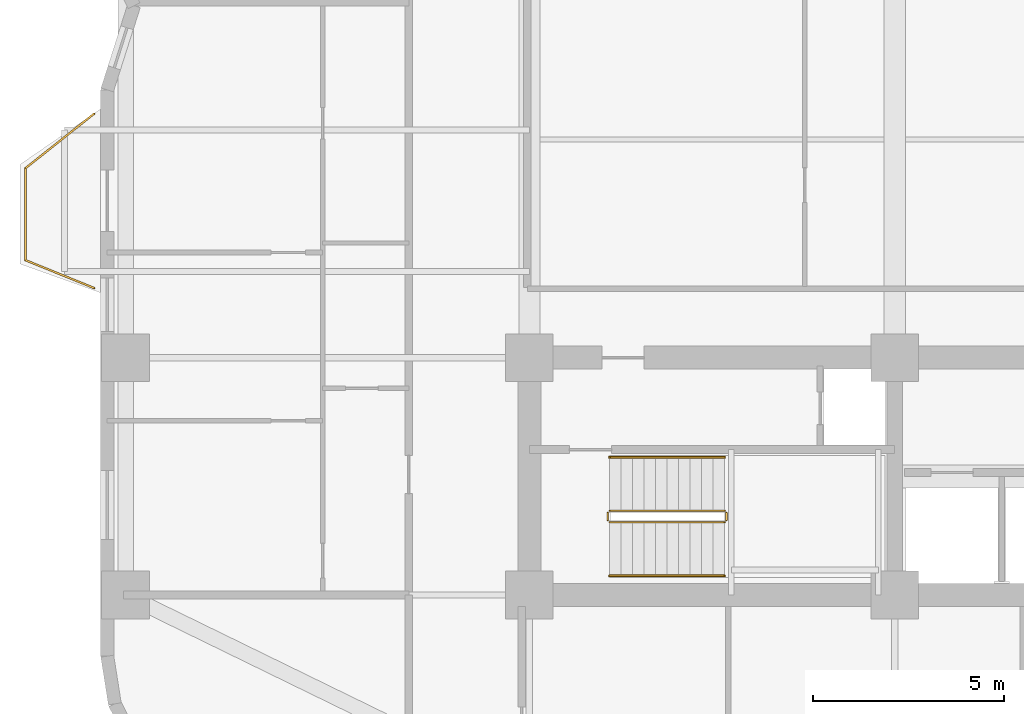
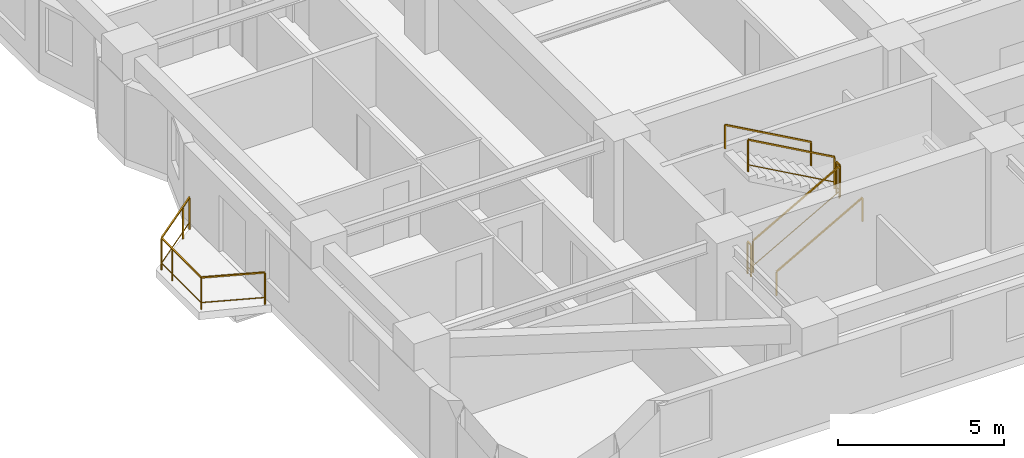
# One storey, part 8 of 9: 7 railings.
"""IFC4 building model written with IfcOpenShell, lengths in metres."""

import ifcopenshell
import ifcopenshell.guid

model = None  # the IFC model being written
_history = None  # IfcOwnerHistory: only IFC2X3 demands one
_inside = {}  # id of a spatial element -> (the spatial element, [elements in it])
_under = {}  # id of a project, library or spatial element -> (it, [spatial elements below it])
_declared = {}  # id of a project -> (the project, [libraries it declares])
_typed = {}  # id of a type object -> (the type object, [elements of that type])
_made_of = {}  # id of a material, layer set ... -> (it, [elements and type objects made of it])


def new_model(schema):
    """Start an empty IFC model of exactly this schema.

    Asked for "IFC4X3", IfcOpenShell would pick the latest addendum, in which some entities
    have other attributes; the version numbers below select the first issue.
    IFC2X3 requires an IfcOwnerHistory on every rooted entity: one is made here for all.
    """
    global model, _history
    if schema == "IFC4X3":
        model = ifcopenshell.file(schema_version=(4, 3, 0, 0))
    else:
        model = ifcopenshell.file(schema=schema)
    _inside.clear()
    _under.clear()
    _declared.clear()
    _typed.clear()
    _made_of.clear()
    _history = None
    if model.schema == "IFC2X3":
        org = make("IfcOrganization", Name="unknown")
        user = make(
            "IfcPersonAndOrganization",
            ThePerson=make("IfcPerson", FamilyName="unknown"),
            TheOrganization=org,
        )
        app = make(
            "IfcApplication",
            ApplicationDeveloper=org,
            Version="unknown",
            ApplicationFullName="unknown",
            ApplicationIdentifier="unknown",
        )
        _history = make(
            "IfcOwnerHistory",
            OwningUser=user,
            OwningApplication=app,
            ChangeAction="ADDED",
            CreationDate=0,
        )
    return model


def make(cls, **values):
    """One entity of the class cls with the attributes given. An attribute that is None is left unset."""
    return model.create_entity(
        cls, **{name: value for name, value in values.items() if value is not None}
    )


def rooted(cls, **values):
    """An entity with a GlobalId (a new one), such as an element, a storey or a relation."""
    return make(cls, GlobalId=ifcopenshell.guid.new(), OwnerHistory=_history, **values)


def si_unit(unit_type, name, prefix=None):
    """IfcSIUnit, for example si_unit("LENGTHUNIT", "METRE", prefix="MILLI")."""
    return make("IfcSIUnit", UnitType=unit_type, Prefix=prefix, Name=name)


def assignment(units):
    """IfcUnitAssignment: the units of a project."""
    return None if units is None else make("IfcUnitAssignment", Units=units)


def point(xyz):
    """IfcCartesianPoint."""
    return None if xyz is None else make("IfcCartesianPoint", Coordinates=xyz)


def direction(xyz):
    """IfcDirection."""
    return None if xyz is None else make("IfcDirection", DirectionRatios=xyz)


def frame(location, z_axis=None, x_axis=None):
    """IfcAxis2Placement3D, a coordinate frame: its origin and axes. An axis left out is left unset."""
    return make(
        "IfcAxis2Placement3D",
        Location=point(location),
        Axis=direction(z_axis),
        RefDirection=direction(x_axis),
    )


def frame_2d(location, x_axis=None):
    """IfcAxis2Placement2D, a coordinate frame in the plane: its origin and x axis."""
    return make(
        "IfcAxis2Placement2D", Location=point(location), RefDirection=direction(x_axis)
    )


def origin():
    """The frame at (0, 0, 0) with its axes left unset."""
    return frame((0.0, 0.0, 0.0))


def origin_2d():
    """The frame at (0, 0) in the plane with its x axis left unset."""
    return frame_2d((0.0, 0.0))


def place(relative_to, where):
    """IfcLocalPlacement: puts the frame where relative to a parent placement (None: the world)."""
    return make(
        "IfcLocalPlacement", PlacementRelTo=relative_to, RelativePlacement=where
    )


def context(
    kind, dimensions, precision=None, world=None, true_north=None, identifier=None
):
    """IfcGeometricRepresentationContext, for example the 3D "Model" context."""
    return make(
        "IfcGeometricRepresentationContext",
        ContextIdentifier=identifier,
        ContextType=kind,
        CoordinateSpaceDimension=dimensions,
        Precision=precision,
        WorldCoordinateSystem=world,
        TrueNorth=true_north,
    )


def subcontext(parent, identifier, kind, view, scale=None):
    """IfcGeometricRepresentationSubContext, for example "Body" below "Model"."""
    return make(
        "IfcGeometricRepresentationSubContext",
        ContextIdentifier=identifier,
        ContextType=kind,
        ParentContext=parent,
        TargetScale=scale,
        TargetView=view,
    )


def project(units=None, contexts=None):
    """IfcProject with its units and contexts."""
    return rooted(
        "IfcProject",
        Name="project",
        RepresentationContexts=contexts,
        UnitsInContext=assignment(units),
    )


def spatial(cls, under=None, at=None, **own):
    """A site, building, storey or space (cls), placed at a placement, below another one or the project."""
    s = rooted(cls, ObjectPlacement=at, **own)
    if under is not None:
        _under.setdefault(under.id(), (under, []))[1].append(s)
    return s


def profile(cls, at=None, kind="AREA", **sizes):
    """A parametric profile (cls). Its sizes go by their IFC names, for example OverallWidth=200.0."""
    return make(cls, ProfileType=kind, Position=at, **sizes)


def rectangle(**sizes):
    """IfcRectangleProfileDef."""
    return profile("IfcRectangleProfileDef", **sizes)


def extrude(swept, where, along, depth):
    """IfcExtrudedAreaSolid: the profile swept, set in the frame where, extruded along a direction by depth."""
    return make(
        "IfcExtrudedAreaSolid",
        SweptArea=swept,
        Position=where,
        ExtrudedDirection=direction(along),
        Depth=depth,
    )


def shape(context_of_items, identifier, shape_type, items):
    """IfcShapeRepresentation: the items that make up one representation, for example the "Body"."""
    return make(
        "IfcShapeRepresentation",
        ContextOfItems=context_of_items,
        RepresentationIdentifier=identifier,
        RepresentationType=shape_type,
        Items=items,
    )


def material(Name=None, Category=None):
    """IfcMaterial."""
    return make("IfcMaterial", Name=Name, Category=Category)


def made_of(thing, what):
    """Note that an element or type object is made of a material, layer set ...; save() writes the relation."""
    if what is not None:
        _made_of.setdefault(what.id(), (what, []))[1].append(thing)
    return thing


def type_object(cls, material=None, **own):
    """A type object (cls), such as IfcWallType, which elements share."""
    return made_of(rooted(cls, **own), material)


def element(
    cls,
    number,
    at=None,
    inside=None,
    cuts=None,
    type_object=None,
    material=None,
    context=None,
    identifier="Body",
    shape_type=None,
    held_by="IfcProductDefinitionShape",
    body=None,
    shapes=None,
    **own,
):
    """One element of the class cls, such as IfcWall. Its Tag is "e" and its number.

    at: its placement. inside: the storey or other place that contains it. cuts: it is an
    opening in that element (IfcRelVoidsElement). A single representation is given by context,
    identifier, shape_type and body (its items); several are given by shapes. held_by: the class
    of the entity that holds the representations. save() writes the other relations.
    """
    e = rooted(cls, Tag="e%d" % number, ObjectPlacement=at, **own)
    if body is not None:
        shapes = [shape(context, identifier, shape_type, body)]
    if shapes is not None:
        e.Representation = make(held_by, Representations=shapes)
    if inside is not None:
        _inside.setdefault(inside.id(), (inside, []))[1].append(e)
    if cuts is not None:
        rooted(
            "IfcRelVoidsElement", RelatingBuildingElement=cuts, RelatedOpeningElement=e
        )
    if type_object is not None:
        _typed.setdefault(type_object.id(), (type_object, []))[1].append(e)
    return made_of(e, material)


def aggregate(whole, parts):
    """IfcRelAggregates: a whole, such as a stair, and the parts it consists of."""
    return rooted("IfcRelAggregates", RelatingObject=whole, RelatedObjects=parts)


def save(model, path):
    """Write the relations noted so far, then the file.

    IfcRelAggregates (storeys below a building ...), IfcRelContainedInSpatialStructure (elements
    in a storey), IfcRelDefinesByType, IfcRelAssociatesMaterial and IfcRelDeclares: one each for
    every whole, place, type object, material and project.
    """
    for whole, parts in _under.values():
        aggregate(whole, parts)
    for where, things in _inside.values():
        rooted(
            "IfcRelContainedInSpatialStructure",
            RelatedElements=things,
            RelatingStructure=where,
        )
    for kind, things in _typed.values():
        rooted("IfcRelDefinesByType", RelatedObjects=things, RelatingType=kind)
    for what, things in _made_of.values():
        rooted("IfcRelAssociatesMaterial", RelatedObjects=things, RelatingMaterial=what)
    for by, libraries in _declared.values():
        rooted("IfcRelDeclares", RelatingContext=by, RelatedDefinitions=libraries)
    model.write(path)


model = new_model("IFC4")

# Units and contexts
model_context = context("Model", 3, precision=1e-05, world=origin(), true_north=direction((0.0, 1.0)))
body_context = subcontext(model_context, "Body", "Model", "MODEL_VIEW")
ifc_project = project(units=[si_unit("LENGTHUNIT", "METRE"), si_unit("AREAUNIT", "SQUARE_METRE"), si_unit("VOLUMEUNIT", "CUBIC_METRE"), si_unit("PLANEANGLEUNIT", "RADIAN"), si_unit("MASSUNIT", "GRAM", prefix="KILO")], contexts=[model_context])

# Site, building, storey
site_placement = place(None, origin())
site = spatial("IfcSite", under=ifc_project, at=site_placement, CompositionType="ELEMENT")
building_placement = place(site_placement, origin())
building = spatial("IfcBuilding", under=site, at=building_placement, Name="Svetorya Sky Lyceum", CompositionType="ELEMENT")
storey_placement = place(building_placement, frame((0.0, 0.0, 62.10009765625)))
storey = spatial("IfcBuildingStorey", under=building, at=storey_placement, Name="L15", CompositionType="ELEMENT", Elevation=62.10009765625)

# Railings
ifc_material_1 = material(Name="Laminated safety glass and stainless AISI 316", Category="glass")
railing_type_1 = type_object("IfcRailingType", Name="RL-BAL-1200", PredefinedType="BALUSTRADE", material=ifc_material_1)
railing_1_placement = place(storey_placement, frame((14.22998046875, 18.6201171875, 0.0)))
element("IfcRailing", 1, at=railing_1_placement, inside=storey, type_object=railing_type_1, Name="L15 Balcony Balustrade BAL-W1", PredefinedType="BALUSTRADE", context=body_context, shape_type="SweptSolid", body=[
    extrude(rectangle(XDim=0.048095703125, YDim=0.048095703125, at=origin_2d()), frame((0.0, 0.0, 1.17578125), z_axis=(-0.926697865975, 0.375807218129, 0.0), x_axis=(-0.375807218129, -0.926697865975, 0.0)), (0.0, 0.0, 1.0), 1.9423828125),
    extrude(rectangle(XDim=0.02392578125, YDim=0.02392578125, at=origin_2d()), frame((0.0, 0.0, 0.25), z_axis=(-0.926697865975, 0.375807218129, 0.0), x_axis=(-0.375807218129, -0.926697865975, 0.0)), (0.0, 0.0, 1.0), 1.9423828125),
    extrude(rectangle(XDim=0.048095703125, YDim=0.048095703125, at=origin_2d()), frame((-1.800048828125, 0.72998046875, 1.17578125), z_axis=(0.0, 1.0, 0.0), x_axis=(-1.0, 0.0, 0.0)), (0.0, 0.0, 1.0), 2.39990234375),
    extrude(rectangle(XDim=0.02392578125, YDim=0.02392578125, at=origin_2d()), frame((-1.800048828125, 0.72998046875, 0.25), z_axis=(0.0, 1.0, 0.0), x_axis=(-1.0, 0.0, 0.0)), (0.0, 0.0, 1.0), 2.39990234375),
    extrude(rectangle(XDim=0.048095703125, YDim=0.048095703125, at=origin_2d()), frame((-1.800048828125, 3.1298828125, 1.17578125), z_axis=(0.783008919264, 0.622010476079, 0.0), x_axis=(-0.622010476079, 0.783008919264, 0.0)), (0.0, 0.0, 1.0), 2.298828125),
    extrude(rectangle(XDim=0.02392578125, YDim=0.02392578125, at=origin_2d()), frame((-1.800048828125, 3.1298828125, 0.25), z_axis=(0.783008919264, 0.622010476079, 0.0), x_axis=(-0.622010476079, 0.783008919264, 0.0)), (0.0, 0.0, 1.0), 2.298828125),
    extrude(rectangle(XDim=0.0419921875, YDim=0.0419921875, at=origin_2d()), origin(), (0.0, 0.0, 1.0), 1.15185546875),
    extrude(rectangle(XDim=0.0419921875, YDim=0.0419921875, at=origin_2d()), frame((-1.800048828125, 0.72998046875, 0.0)), (0.0, 0.0, 1.0), 1.15185546875),
    extrude(rectangle(XDim=0.0419921875, YDim=0.0419921875, at=origin_2d()), frame((-1.800048828125, 2.47998046875, 0.0)), (0.0, 0.0, 1.0), 1.15185546875),
    extrude(rectangle(XDim=0.0419921875, YDim=0.0419921875, at=origin_2d()), frame((-1.800048828125, 3.1298828125, 0.0)), (0.0, 0.0, 1.0), 1.15185546875),
    extrude(rectangle(XDim=0.0419921875, YDim=0.0419921875, at=origin_2d()), frame((-0.4296875, 4.218505859375, 0.0)), (0.0, 0.0, 1.0), 1.15185546875),
    extrude(rectangle(XDim=0.0419921875, YDim=0.0419921875, at=origin_2d()), frame((0.0, 4.559814453125, 0.0)), (0.0, 0.0, 1.0), 1.15185546875),
])
ifc_material_2 = material(Name="Painted galvanized stair well guard")
railing_type_2 = type_object("IfcRailingType", Name="RL-STR-GUARD-1200", PredefinedType="GUARDRAIL", material=ifc_material_2)
railing_2_placement = place(storey_placement, frame((27.699951171875, 12.5, 0.16796875)))
element("IfcRailing", 2, at=railing_2_placement, inside=storey, type_object=railing_type_2, Name="L15 ST-S stair guard 1", PredefinedType="GUARDRAIL", context=body_context, shape_type="SweptSolid", body=[
    extrude(rectangle(XDim=0.048095703125, YDim=0.048095703125, at=origin_2d()), frame((0.0, 0.0, 1.17578125), z_axis=(0.872272294576, 0.0, 0.489020494575), x_axis=(0.0, 1.0, 0.0)), (0.0, 0.0, 1.0), 3.439208984375),
    extrude(rectangle(XDim=0.02392578125, YDim=0.02392578125, at=origin_2d()), frame((0.0, 0.0, 0.25), z_axis=(0.872272294576, 0.0, 0.489020494575), x_axis=(0.0, 1.0, 0.0)), (0.0, 0.0, 1.0), 3.439208984375),
    extrude(rectangle(XDim=0.0419921875, YDim=0.0419921875, at=origin_2d()), origin(), (0.0, 0.0, 1.0), 1.15185546875),
    extrude(rectangle(XDim=0.0419921875, YDim=0.0419921875, at=origin_2d()), frame((3.0, 0.0, 1.681884765625)), (0.0, 0.0, 1.0), 1.15185546875),
])
railing_3_placement = place(storey_placement, frame((30.75, 12.550048828125, 1.849853515625)))
element("IfcRailing", 3, at=railing_3_placement, inside=storey, type_object=railing_type_2, Name="L15 ST-S stair guard 2", PredefinedType="GUARDRAIL", context=body_context, shape_type="SweptSolid", body=[
    extrude(rectangle(XDim=0.048095703125, YDim=0.048095703125, at=origin_2d()), frame((0.0, 0.0, 1.17578125), z_axis=(0.0, 1.0, 0.0), x_axis=(-1.0, 0.0, 0.0)), (0.0, 0.0, 1.0), 0.199951171875),
    extrude(rectangle(XDim=0.02392578125, YDim=0.02392578125, at=origin_2d()), frame((0.0, 0.0, 0.25), z_axis=(0.0, 1.0, 0.0), x_axis=(-1.0, 0.0, 0.0)), (0.0, 0.0, 1.0), 0.199951171875),
    extrude(rectangle(XDim=0.0419921875, YDim=0.0419921875, at=origin_2d()), origin(), (0.0, 0.0, 1.0), 1.15185546875),
    extrude(rectangle(XDim=0.0419921875, YDim=0.0419921875, at=origin_2d()), frame((0.0, 0.199951171875, 0.0)), (0.0, 0.0, 1.0), 1.15185546875),
])
railing_4_placement = place(storey_placement, frame((30.699951171875, 12.800048828125, 2.01806640625)))
element("IfcRailing", 4, at=railing_4_placement, inside=storey, type_object=railing_type_2, Name="L15 ST-S stair guard 3", PredefinedType="GUARDRAIL", context=body_context, shape_type="SweptSolid", body=[
    extrude(rectangle(XDim=0.048095703125, YDim=0.048095703125, at=origin_2d()), frame((0.0, 0.0, 1.17578125), z_axis=(-0.872272294576, 0.0, 0.489020494575), x_axis=(0.0, -1.0, 0.0)), (0.0, 0.0, 1.0), 3.439208984375),
    extrude(rectangle(XDim=0.02392578125, YDim=0.02392578125, at=origin_2d()), frame((0.0, 0.0, 0.25), z_axis=(-0.872272294576, 0.0, 0.489020494575), x_axis=(0.0, -1.0, 0.0)), (0.0, 0.0, 1.0), 3.439208984375),
    extrude(rectangle(XDim=0.0419921875, YDim=0.0419921875, at=origin_2d()), origin(), (0.0, 0.0, 1.0), 1.15185546875),
    extrude(rectangle(XDim=0.0419921875, YDim=0.0419921875, at=origin_2d()), frame((-3.0, 0.0, 1.681884765625)), (0.0, 0.0, 1.0), 1.15185546875),
])
railing_5_placement = place(storey_placement, frame((27.64990234375, 12.550048828125, 0.0)))
element("IfcRailing", 5, at=railing_5_placement, inside=storey, type_object=railing_type_2, Name="L15 ST-S stair guard 4", PredefinedType="GUARDRAIL", context=body_context, shape_type="SweptSolid", body=[
    extrude(rectangle(XDim=0.048095703125, YDim=0.048095703125, at=origin_2d()), frame((0.0, 0.0, 1.17578125), z_axis=(0.0, 1.0, 0.0), x_axis=(-1.0, 0.0, 0.0)), (0.0, 0.0, 1.0), 0.199951171875),
    extrude(rectangle(XDim=0.02392578125, YDim=0.02392578125, at=origin_2d()), frame((0.0, 0.0, 0.25), z_axis=(0.0, 1.0, 0.0), x_axis=(-1.0, 0.0, 0.0)), (0.0, 0.0, 1.0), 0.199951171875),
    extrude(rectangle(XDim=0.0419921875, YDim=0.0419921875, at=origin_2d()), origin(), (0.0, 0.0, 1.0), 1.15185546875),
    extrude(rectangle(XDim=0.0419921875, YDim=0.0419921875, at=origin_2d()), frame((0.0, 0.199951171875, 0.0)), (0.0, 0.0, 1.0), 1.15185546875),
])
ifc_material_3 = material(Name="Brushed stainless AISI 304 stair handrail")
railing_type_3 = type_object("IfcRailingType", Name="RL-STR-HAND-920", PredefinedType="HANDRAIL", material=ifc_material_3)
railing_6_placement = place(storey_placement, frame((27.699951171875, 11.10009765625, 0.16796875)))
element("IfcRailing", 6, at=railing_6_placement, inside=storey, type_object=railing_type_3, Name="L15 ST-S stair handrail 1", PredefinedType="HANDRAIL", context=body_context, shape_type="SweptSolid", body=[
    extrude(rectangle(XDim=0.048095703125, YDim=0.048095703125, at=origin_2d()), frame((0.0, 0.0, 0.8759765625), z_axis=(0.872272294576, 0.0, 0.489020494575), x_axis=(0.0, 1.0, 0.0)), (0.0, 0.0, 1.0), 3.439208984375),
    extrude(rectangle(XDim=0.0419921875, YDim=0.0419921875, at=origin_2d()), origin(), (0.0, 0.0, 1.0), 0.851806640625),
    extrude(rectangle(XDim=0.0419921875, YDim=0.0419921875, at=origin_2d()), frame((3.0, 0.0, 1.681884765625)), (0.0, 0.0, 1.0), 0.851806640625),
])
railing_7_placement = place(storey_placement, frame((30.699951171875, 14.199951171875, 2.01806640625)))
element("IfcRailing", 7, at=railing_7_placement, inside=storey, type_object=railing_type_3, Name="L15 ST-S stair handrail 2", PredefinedType="HANDRAIL", context=body_context, shape_type="SweptSolid", body=[
    extrude(rectangle(XDim=0.048095703125, YDim=0.048095703125, at=origin_2d()), frame((0.0, 0.0, 0.8759765625), z_axis=(-0.872272294576, 0.0, 0.489020494575), x_axis=(0.0, -1.0, 0.0)), (0.0, 0.0, 1.0), 3.439208984375),
    extrude(rectangle(XDim=0.0419921875, YDim=0.0419921875, at=origin_2d()), origin(), (0.0, 0.0, 1.0), 0.851806640625),
    extrude(rectangle(XDim=0.0419921875, YDim=0.0419921875, at=origin_2d()), frame((-3.0, 0.0, 1.681884765625)), (0.0, 0.0, 1.0), 0.851806640625),
])

save(model, "model.ifc")
